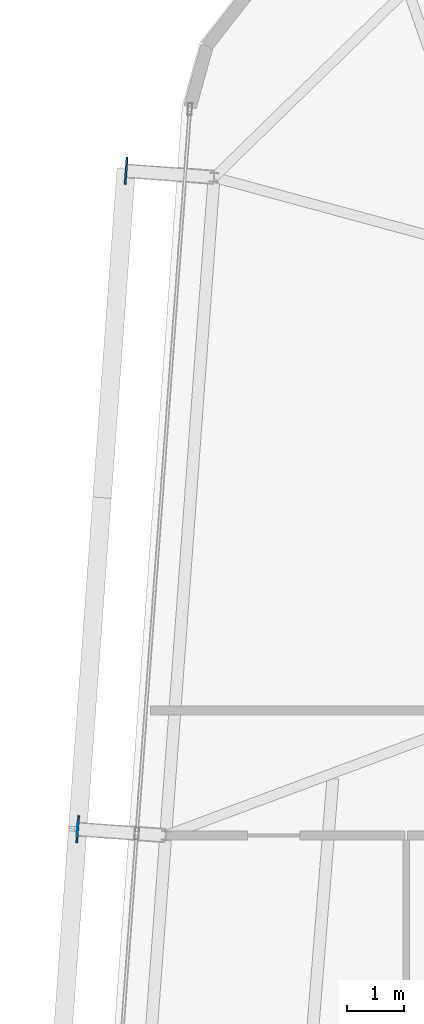
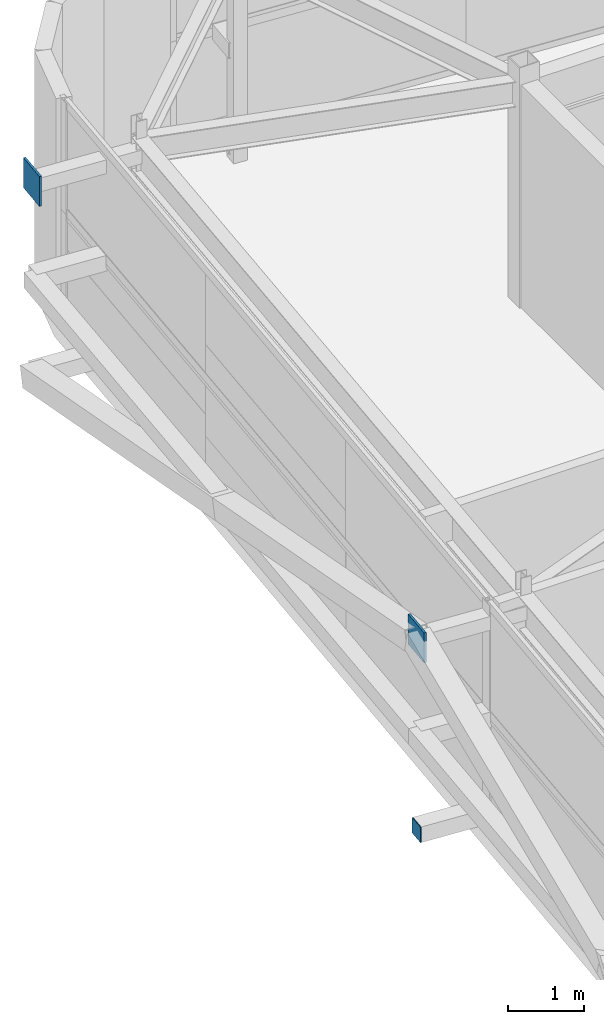
# One storey, part 26 of 35: 3 plates.
"""IFC4 building model written with IfcOpenShell, lengths in metres."""

import ifcopenshell
import ifcopenshell.guid

model = None  # the IFC model being written
_history = None  # IfcOwnerHistory: only IFC2X3 demands one
_inside = {}  # id of a spatial element -> (the spatial element, [elements in it])
_under = {}  # id of a project, library or spatial element -> (it, [spatial elements below it])
_declared = {}  # id of a project -> (the project, [libraries it declares])
_typed = {}  # id of a type object -> (the type object, [elements of that type])
_made_of = {}  # id of a material, layer set ... -> (it, [elements and type objects made of it])


def new_model(schema):
    """Start an empty IFC model of exactly this schema.

    Asked for "IFC4X3", IfcOpenShell would pick the latest addendum, in which some entities
    have other attributes; the version numbers below select the first issue.
    IFC2X3 requires an IfcOwnerHistory on every rooted entity: one is made here for all.
    """
    global model, _history
    if schema == "IFC4X3":
        model = ifcopenshell.file(schema_version=(4, 3, 0, 0))
    else:
        model = ifcopenshell.file(schema=schema)
    _inside.clear()
    _under.clear()
    _declared.clear()
    _typed.clear()
    _made_of.clear()
    _history = None
    if model.schema == "IFC2X3":
        org = make("IfcOrganization", Name="unknown")
        user = make(
            "IfcPersonAndOrganization",
            ThePerson=make("IfcPerson", FamilyName="unknown"),
            TheOrganization=org,
        )
        app = make(
            "IfcApplication",
            ApplicationDeveloper=org,
            Version="unknown",
            ApplicationFullName="unknown",
            ApplicationIdentifier="unknown",
        )
        _history = make(
            "IfcOwnerHistory",
            OwningUser=user,
            OwningApplication=app,
            ChangeAction="ADDED",
            CreationDate=0,
        )
    return model


def make(cls, **values):
    """One entity of the class cls with the attributes given. An attribute that is None is left unset."""
    return model.create_entity(
        cls, **{name: value for name, value in values.items() if value is not None}
    )


def rooted(cls, **values):
    """An entity with a GlobalId (a new one), such as an element, a storey or a relation."""
    return make(cls, GlobalId=ifcopenshell.guid.new(), OwnerHistory=_history, **values)


def si_unit(unit_type, name, prefix=None):
    """IfcSIUnit, for example si_unit("LENGTHUNIT", "METRE", prefix="MILLI")."""
    return make("IfcSIUnit", UnitType=unit_type, Prefix=prefix, Name=name)


def assignment(units):
    """IfcUnitAssignment: the units of a project."""
    return None if units is None else make("IfcUnitAssignment", Units=units)


def point(xyz):
    """IfcCartesianPoint."""
    return None if xyz is None else make("IfcCartesianPoint", Coordinates=xyz)


def direction(xyz):
    """IfcDirection."""
    return None if xyz is None else make("IfcDirection", DirectionRatios=xyz)


def frame(location, z_axis=None, x_axis=None):
    """IfcAxis2Placement3D, a coordinate frame: its origin and axes. An axis left out is left unset."""
    return make(
        "IfcAxis2Placement3D",
        Location=point(location),
        Axis=direction(z_axis),
        RefDirection=direction(x_axis),
    )


def frame_2d(location, x_axis=None):
    """IfcAxis2Placement2D, a coordinate frame in the plane: its origin and x axis."""
    return make(
        "IfcAxis2Placement2D", Location=point(location), RefDirection=direction(x_axis)
    )


def origin():
    """The frame at (0, 0, 0) with its axes left unset."""
    return frame((0.0, 0.0, 0.0))


def origin_2d():
    """The frame at (0, 0) in the plane with its x axis left unset."""
    return frame_2d((0.0, 0.0))


def place(relative_to, where):
    """IfcLocalPlacement: puts the frame where relative to a parent placement (None: the world)."""
    return make(
        "IfcLocalPlacement", PlacementRelTo=relative_to, RelativePlacement=where
    )


def context(
    kind, dimensions, precision=None, world=None, true_north=None, identifier=None
):
    """IfcGeometricRepresentationContext, for example the 3D "Model" context."""
    return make(
        "IfcGeometricRepresentationContext",
        ContextIdentifier=identifier,
        ContextType=kind,
        CoordinateSpaceDimension=dimensions,
        Precision=precision,
        WorldCoordinateSystem=world,
        TrueNorth=true_north,
    )


def subcontext(parent, identifier, kind, view, scale=None):
    """IfcGeometricRepresentationSubContext, for example "Body" below "Model"."""
    return make(
        "IfcGeometricRepresentationSubContext",
        ContextIdentifier=identifier,
        ContextType=kind,
        ParentContext=parent,
        TargetScale=scale,
        TargetView=view,
    )


def project(units=None, contexts=None):
    """IfcProject with its units and contexts."""
    return rooted(
        "IfcProject",
        Name="project",
        RepresentationContexts=contexts,
        UnitsInContext=assignment(units),
    )


def spatial(cls, under=None, at=None, **own):
    """A site, building, storey or space (cls), placed at a placement, below another one or the project."""
    s = rooted(cls, ObjectPlacement=at, **own)
    if under is not None:
        _under.setdefault(under.id(), (under, []))[1].append(s)
    return s


def profile(cls, at=None, kind="AREA", **sizes):
    """A parametric profile (cls). Its sizes go by their IFC names, for example OverallWidth=200.0."""
    return make(cls, ProfileType=kind, Position=at, **sizes)


def rectangle(**sizes):
    """IfcRectangleProfileDef."""
    return profile("IfcRectangleProfileDef", **sizes)


def extrude(swept, where, along, depth):
    """IfcExtrudedAreaSolid: the profile swept, set in the frame where, extruded along a direction by depth."""
    return make(
        "IfcExtrudedAreaSolid",
        SweptArea=swept,
        Position=where,
        ExtrudedDirection=direction(along),
        Depth=depth,
    )


def shape(context_of_items, identifier, shape_type, items):
    """IfcShapeRepresentation: the items that make up one representation, for example the "Body"."""
    return make(
        "IfcShapeRepresentation",
        ContextOfItems=context_of_items,
        RepresentationIdentifier=identifier,
        RepresentationType=shape_type,
        Items=items,
    )


def source(mapping_origin, context_of_items, identifier, shape_type, items):
    """IfcRepresentationMap: a shape defined once, which mapped items show again and again."""
    return make(
        "IfcRepresentationMap",
        MappingOrigin=mapping_origin,
        MappedRepresentation=shape(context_of_items, identifier, shape_type, items),
    )


def transform(
    local_origin,
    x_axis=None,
    y_axis=None,
    z_axis=None,
    scale=None,
    scale2=None,
    scale3=None,
    uniform=True,
):
    """IfcCartesianTransformationOperator3D, or its non-uniform kind. x_axis, y_axis, z_axis: its Axis1, 2, 3."""
    if uniform:
        return make(
            "IfcCartesianTransformationOperator3D",
            Axis1=direction(x_axis),
            Axis2=direction(y_axis),
            LocalOrigin=point(local_origin),
            Scale=scale,
            Axis3=direction(z_axis),
        )
    return make(
        "IfcCartesianTransformationOperator3DnonUniform",
        Axis1=direction(x_axis),
        Axis2=direction(y_axis),
        LocalOrigin=point(local_origin),
        Scale=scale,
        Axis3=direction(z_axis),
        Scale2=scale2,
        Scale3=scale3,
    )


def mapped(mapping_source, mapping_target):
    """IfcMappedItem: shows the shape of a source again, moved by a transform."""
    return make(
        "IfcMappedItem", MappingSource=mapping_source, MappingTarget=mapping_target
    )


def material(Name=None, Category=None):
    """IfcMaterial."""
    return make("IfcMaterial", Name=Name, Category=Category)


def layer(
    of_material, thickness, ventilated=None, Name=None, Category=None, Priority=None
):
    """IfcMaterialLayer: one layer of a wall or slab, of a material (None: an air gap)."""
    return make(
        "IfcMaterialLayer",
        Material=of_material,
        LayerThickness=thickness,
        IsVentilated=ventilated,
        Name=Name,
        Category=Category,
        Priority=Priority,
    )


def layer_set(layers, Name=None):
    """IfcMaterialLayerSet."""
    return make("IfcMaterialLayerSet", MaterialLayers=layers, LayerSetName=Name)


def made_of(thing, what):
    """Note that an element or type object is made of a material, layer set ...; save() writes the relation."""
    if what is not None:
        _made_of.setdefault(what.id(), (what, []))[1].append(thing)
    return thing


def type_object(cls, material=None, **own):
    """A type object (cls), such as IfcWallType, which elements share."""
    return made_of(rooted(cls, **own), material)


def element(
    cls,
    number,
    at=None,
    inside=None,
    cuts=None,
    type_object=None,
    material=None,
    context=None,
    identifier="Body",
    shape_type=None,
    held_by="IfcProductDefinitionShape",
    body=None,
    shapes=None,
    **own,
):
    """One element of the class cls, such as IfcWall. Its Tag is "e" and its number.

    at: its placement. inside: the storey or other place that contains it. cuts: it is an
    opening in that element (IfcRelVoidsElement). A single representation is given by context,
    identifier, shape_type and body (its items); several are given by shapes. held_by: the class
    of the entity that holds the representations. save() writes the other relations.
    """
    e = rooted(cls, Tag="e%d" % number, ObjectPlacement=at, **own)
    if body is not None:
        shapes = [shape(context, identifier, shape_type, body)]
    if shapes is not None:
        e.Representation = make(held_by, Representations=shapes)
    if inside is not None:
        _inside.setdefault(inside.id(), (inside, []))[1].append(e)
    if cuts is not None:
        rooted(
            "IfcRelVoidsElement", RelatingBuildingElement=cuts, RelatedOpeningElement=e
        )
    if type_object is not None:
        _typed.setdefault(type_object.id(), (type_object, []))[1].append(e)
    return made_of(e, material)


def aggregate(whole, parts):
    """IfcRelAggregates: a whole, such as a stair, and the parts it consists of."""
    return rooted("IfcRelAggregates", RelatingObject=whole, RelatedObjects=parts)


def save(model, path):
    """Write the relations noted so far, then the file.

    IfcRelAggregates (storeys below a building ...), IfcRelContainedInSpatialStructure (elements
    in a storey), IfcRelDefinesByType, IfcRelAssociatesMaterial and IfcRelDeclares: one each for
    every whole, place, type object, material and project.
    """
    for whole, parts in _under.values():
        aggregate(whole, parts)
    for where, things in _inside.values():
        rooted(
            "IfcRelContainedInSpatialStructure",
            RelatedElements=things,
            RelatingStructure=where,
        )
    for kind, things in _typed.values():
        rooted("IfcRelDefinesByType", RelatedObjects=things, RelatingType=kind)
    for what, things in _made_of.values():
        rooted("IfcRelAssociatesMaterial", RelatedObjects=things, RelatingMaterial=what)
    for by, libraries in _declared.values():
        rooted("IfcRelDeclares", RelatingContext=by, RelatedDefinitions=libraries)
    model.write(path)


model = new_model("IFC4")

# Units and contexts
model_context = context("Model", 3, precision=1e-05, world=origin(), true_north=direction((0.0, 1.0)))
body_context = subcontext(model_context, "Body", "Model", "MODEL_VIEW")
ifc_project = project(units=[si_unit("LENGTHUNIT", "METRE"), si_unit("AREAUNIT", "SQUARE_METRE"), si_unit("VOLUMEUNIT", "CUBIC_METRE"), si_unit("PLANEANGLEUNIT", "RADIAN"), si_unit("MASSUNIT", "GRAM", prefix="KILO")], contexts=[model_context])

# Site, building, storey
site_placement = place(None, origin())
site = spatial("IfcSite", under=ifc_project, at=site_placement, CompositionType="ELEMENT")
building_placement = place(site_placement, origin())
building = spatial("IfcBuilding", under=site, at=building_placement, Name="Taldren Reach Tower", CompositionType="ELEMENT")
storey_placement = place(building_placement, frame((0.0, 0.0, 249.199951171875)))
storey = spatial("IfcBuildingStorey", under=building, at=storey_placement, Name="L76", CompositionType="ELEMENT", Elevation=249.199951171875)

# Plates
ifc_material_1 = material(Name="Steel Gr 350 (C350L0)", Category="steel")
ifc_layer_1 = layer(ifc_material_1, 0.011962890625)
ifc_layer_set_1 = layer_set([ifc_layer_1], Name="Steel Gr 350 (C350L0)")
plate_type_1 = type_object("IfcPlateType", Name="PL-CAP-250", PredefinedType="SHEET", material=ifc_layer_set_1)
shared_shape_1 = source(origin(), body_context, "Body", "SweptSolid", [
    extrude(rectangle(XDim=0.011962890625, YDim=0.25, at=origin_2d()), origin(), (0.0, 0.0, 1.0), 0.25),
])
plate_placement = place(storey_placement, frame((11.556884765625, 21.914306640625, 0.094970703125), z_axis=(0.0, 0.0, 1.0), x_axis=(0.997314477224, -0.073238197128, 0.0)))
element("IfcPlate", 1, at=plate_placement, inside=storey, type_object=plate_type_1, Name="Tie strut end cap plate B5-W2 L76", PredefinedType="SHEET", context=body_context, shape_type="MappedRepresentation", body=[
    mapped(shared_shape_1, transform((0.0, 0.0, 0.0), scale=1.0)),
])
ifc_material_2 = material(Name="Steel Gr 450 (C450L0)", Category="steel")
ifc_layer_2 = layer(ifc_material_2, 0.031982421875)
ifc_layer_set_2 = layer_set([ifc_layer_2], Name="Steel Gr 450 (C450L0)")
plate_type_2 = type_object("IfcPlateType", Name="PL-GUSSET-32", PredefinedType="SHEET", material=ifc_layer_set_2)
shared_shape_2 = source(origin(), body_context, "Body", "SweptSolid", [
    extrude(rectangle(XDim=0.47998046875, YDim=0.031982421875, at=origin_2d()), origin(), (0.0, 0.0, 1.0), 0.47998046875),
])
for number, where, z_axis, x_axis, name in (
    (2, (11.562744140625, 21.913818359375, 3.050048828125), (0.0, 0.0, 1.0), (0.073238197128, 0.997314477224, 0.0), "Exoskeleton star-node gusset plate B5-W2 L76"),
    (3, (12.412353515625, 33.482666015625, 3.050048828125), (0.0, 0.0, 1.0), (0.073238197128, 0.997314477224, 0.0), "Exoskeleton star-node gusset plate B5-W3 L76"),
):
    element("IfcPlate", number, at=place(storey_placement, frame(where, z_axis=z_axis, x_axis=x_axis)), inside=storey, type_object=plate_type_2, Name=name, PredefinedType="SHEET", context=body_context, shape_type="MappedRepresentation", body=[
        mapped(shared_shape_2, transform((0.0, 0.0, 0.0), scale=1.0)),
    ])

save(model, "model.ifc")
